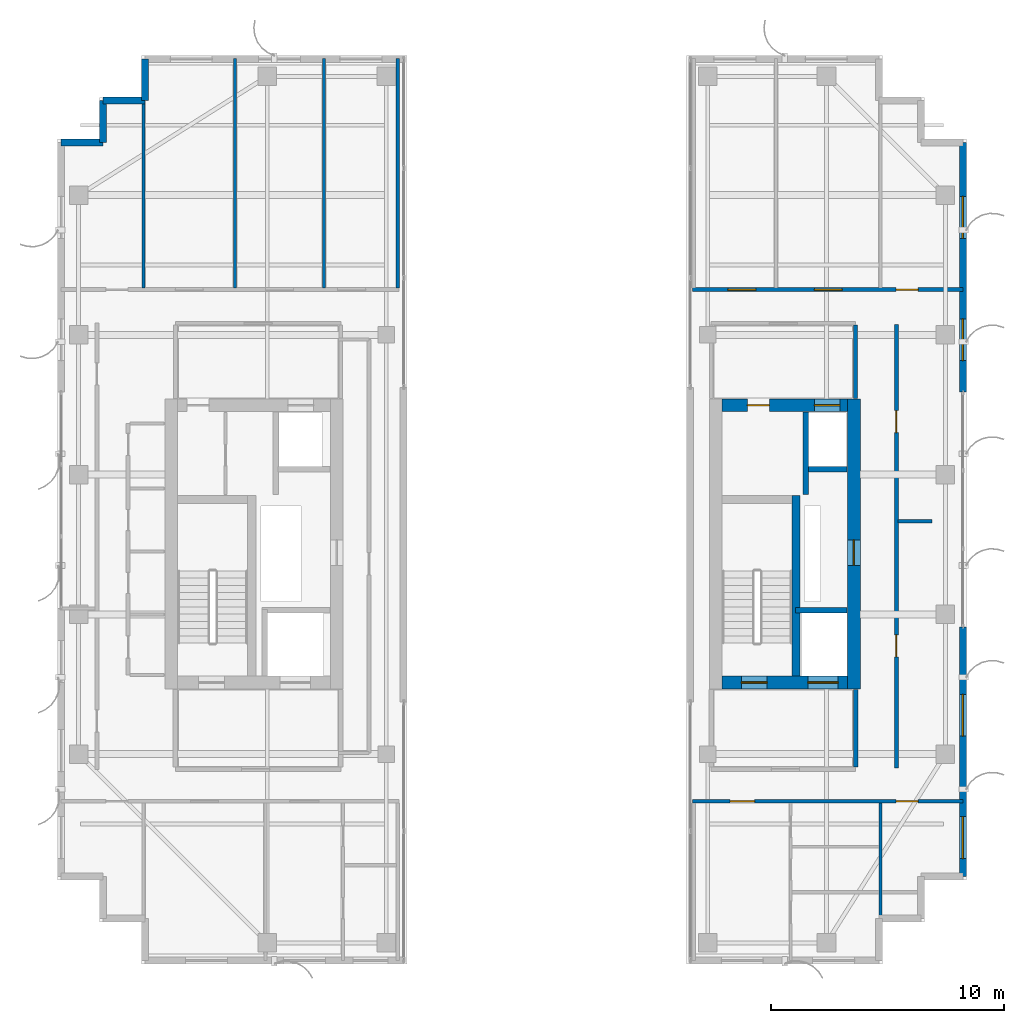
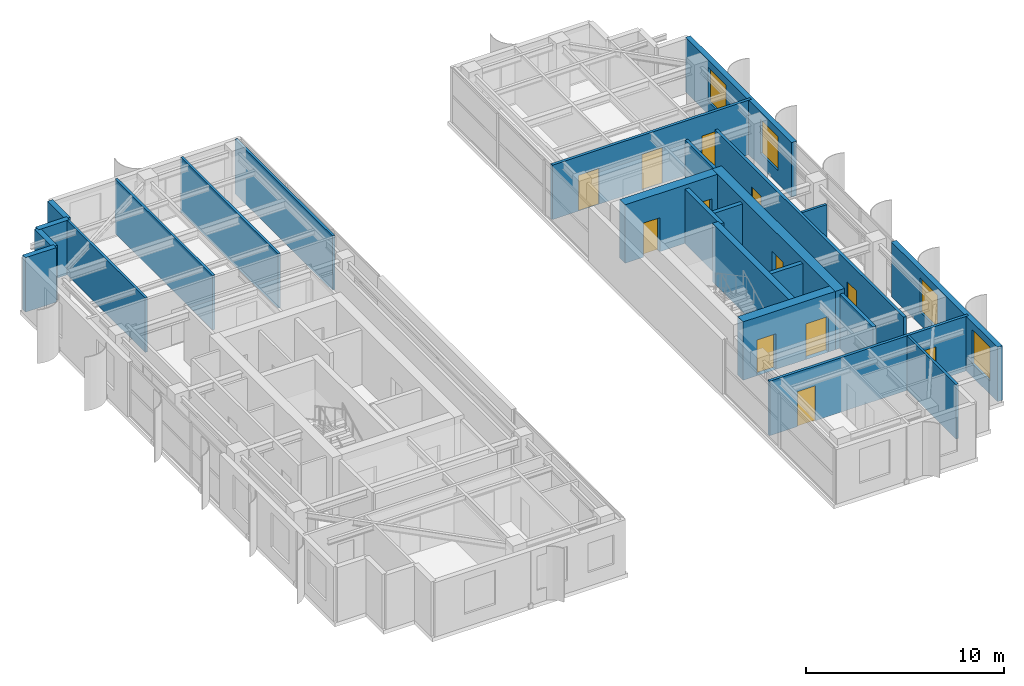
# One storey, part 20 of 24: 24 walls, 12 doors, 4 windows, 16 openings.
"""IFC4 building model written with IfcOpenShell, lengths in metres."""

from ifc_helpers import new_model, si_unit, direction, frame, frame_2d, origin, place, context, subcontext, project, spatial, rectangle, extrude, source, transform, mapped, material, layer, layer_set, type_object, element, fill, save


model = new_model("IFC4")

# Units and contexts
model_context = context("Model", 3, precision=1e-05, world=origin(), true_north=direction((0.0, 1.0)))
body_context = subcontext(model_context, "Body", "Model", "MODEL_VIEW")
ifc_project = project(units=[si_unit("LENGTHUNIT", "METRE"), si_unit("AREAUNIT", "SQUARE_METRE"), si_unit("VOLUMEUNIT", "CUBIC_METRE"), si_unit("PLANEANGLEUNIT", "RADIAN"), si_unit("MASSUNIT", "GRAM", prefix="KILO")], contexts=[model_context])

# Site, building, storey
site_placement = place(None, origin())
site = spatial("IfcSite", under=ifc_project, at=site_placement, CompositionType="ELEMENT")
building_placement = place(site_placement, origin())
building = spatial("IfcBuilding", under=site, at=building_placement, Name="Khoralis Quay Care Tower", CompositionType="ELEMENT")
storey_placement = place(building_placement, frame((0.0, 0.0, 234.89990234375)))
storey = spatial("IfcBuildingStorey", under=building, at=storey_placement, Name="L61", CompositionType="ELEMENT", Elevation=234.89990234375)

# Wall
ifc_material_1 = material(Name="Gypsum plasterboard on acoustic metal stud")
ifc_layer_1 = layer(ifc_material_1, 0.199951171875)
ifc_layer_set_1 = layer_set([ifc_layer_1], Name="Gypsum plasterboard on acoustic metal stud")
wall_type_1 = type_object("IfcWallType", Name="WL-COMP-200", PredefinedType="PARTITIONING", material=ifc_layer_set_1)
wall_1_placement = place(storey_placement, frame((37.25, 11.445068359375, 0.0), z_axis=(0.0, 0.0, 1.0), x_axis=(0.0, 1.0, 0.0)))
element("IfcWall", 1, at=wall_1_placement, inside=storey, type_object=wall_type_1, Name="L61 East Firefighting Lobby East Wall", PredefinedType="PARTITIONING", context=body_context, shape_type="SweptSolid", body=[
    extrude(rectangle(XDim=3.3349609375, YDim=0.199951171875, at=frame_2d((1.66748046875, 0.0))), origin(), (0.0, 0.0, 1.0), 3.360107421875),
])

# Wall, opening, door
ifc_material_2 = material(Name="Concrete C65/80", Category="concrete")
ifc_layer_2 = layer(ifc_material_2, 0.550048828125)
ifc_layer_set_2 = layer_set([ifc_layer_2], Name="Concrete C65/80")
wall_type_2 = type_object("IfcWallType", Name="WL-CORE-550", PredefinedType="SHEAR", material=ifc_layer_set_2)
wall_2_placement = place(storey_placement, frame((37.175048828125, 14.800048828125, 0.0), z_axis=(0.0, 0.0, 1.0), x_axis=(0.0, 1.0, 0.0)))
wall_2 = element("IfcWall", 2, at=wall_2_placement, inside=storey, type_object=wall_type_2, Name="L61 ECORE East Shear Wall", PredefinedType="SHEAR", context=body_context, shape_type="SweptSolid", body=[
    extrude(rectangle(XDim=12.449951171875, YDim=0.550048828125, at=frame_2d((6.22509765625, 0.0))), origin(), (0.0, 0.0, 1.0), 3.60009765625),
])
opening_1_placement = place(wall_2_placement, frame((5.300048828125, 0.0, 0.0)))
opening_1 = element("IfcOpeningElement", 3, at=opening_1_placement, cuts=wall_2, Name="Opening SD1", PredefinedType="OPENING", context=body_context, shape_type="SweptSolid", body=[
    extrude(rectangle(XDim=1.10009765625, YDim=2.199951171875, at=frame_2d((0.550048828125, 1.10009765625))), frame((0.0, 0.28515625, 0.0), z_axis=(0.0, -1.0, 0.0), x_axis=(1.0, 0.0, 0.0)), (0.0, 0.0, 1.0), 0.570068359375),
])
ifc_material_3 = material(Name="Fire-rated painted steel", Category="steel")
door_type_1 = type_object("IfcDoorType", Name="DR-STAIR-1100X2200", OperationType="NOTDEFINED", PredefinedType="DOOR", material=ifc_material_3)
shared_shape_1 = source(origin(), body_context, "Body", "SweptSolid", [
    extrude(rectangle(XDim=1.10009765625, YDim=2.199951171875, at=frame_2d((0.550048828125, 1.10009765625))), frame((0.0, 0.02490234375, 0.0), z_axis=(0.0, -1.0, 0.0), x_axis=(1.0, 0.0, 0.0)), (0.0, 0.0, 1.0), 0.050048828125),
])
door_1_placement = place(opening_1_placement, frame((1.10009765625, 0.0, 0.0), z_axis=(0.0, 0.0, 1.0), x_axis=(-1.0, 0.0, 0.0)))
door_1 = element("IfcDoor", 4, at=door_1_placement, inside=storey, type_object=door_type_1, Name="L61 East MEP Riser Door", OperationType="SINGLE_SWING_RIGHT", OverallHeight=2.199951171875, OverallWidth=1.10009765625, PredefinedType="DOOR", context=body_context, shape_type="MappedRepresentation", body=[
    mapped(shared_shape_1, transform((0.0, 0.0, 0.0), scale=1.0)),
])
fill(opening_1, door_1)

# Wall, openings, doors
wall_3_placement = place(storey_placement, frame((31.52001953125, 15.074951171875, 0.0), z_axis=(0.0, 0.0, 1.0), x_axis=(1.0, 0.0, 0.0)))
wall_3 = element("IfcWall", 5, at=wall_3_placement, inside=storey, type_object=wall_type_2, Name="L61 ECORE South Shear Wall", PredefinedType="SHEAR", context=body_context, shape_type="SweptSolid", body=[
    extrude(rectangle(XDim=5.3798828125, YDim=0.550048828125, at=frame_2d((2.68994140625, 0.0))), origin(), (0.0, 0.0, 1.0), 3.60009765625),
])
opening_2_placement = place(wall_3_placement, frame((0.830078125, 0.0, 0.0)))
opening_2 = element("IfcOpeningElement", 6, at=opening_2_placement, cuts=wall_3, Name="Opening SD1", PredefinedType="OPENING", context=body_context, shape_type="SweptSolid", body=[
    extrude(rectangle(XDim=1.10009765625, YDim=2.199951171875, at=frame_2d((0.550048828125, 1.10009765625))), frame((0.0, 0.28515625, 0.0), z_axis=(0.0, -1.0, 0.0), x_axis=(1.0, 0.0, 0.0)), (0.0, 0.0, 1.0), 0.570068359375),
])
opening_3_placement = place(wall_3_placement, frame((3.679931640625, 0.0, 0.0)))
opening_3 = element("IfcOpeningElement", 7, at=opening_3_placement, cuts=wall_3, Name="Opening LD2", PredefinedType="OPENING", context=body_context, shape_type="SweptSolid", body=[
    extrude(rectangle(XDim=1.300048828125, YDim=2.199951171875, at=frame_2d((0.64990234375, 1.10009765625))), frame((0.0, 0.28515625, 0.0), z_axis=(0.0, -1.0, 0.0), x_axis=(1.0, 0.0, 0.0)), (0.0, 0.0, 1.0), 0.570068359375),
])
door_2_placement = place(opening_2_placement, origin())
door_2 = element("IfcDoor", 8, at=door_2_placement, inside=storey, type_object=door_type_1, Name="L61 Stair ST-T2 Fire Door", OperationType="SINGLE_SWING_RIGHT", OverallHeight=2.199951171875, OverallWidth=1.10009765625, PredefinedType="DOOR", context=body_context, shape_type="MappedRepresentation", body=[
    mapped(shared_shape_1, transform((0.0, 0.0, 0.0), scale=1.0)),
])
fill(opening_2, door_2)
ifc_material_4 = material(Name="Brushed stainless steel", Category="steel")
door_type_2 = type_object("IfcDoorType", Name="DR-LIFT-1300X2200", OperationType="SLIDING_TO_RIGHT", PredefinedType="DOOR", material=ifc_material_4)
shared_shape_2 = source(origin(), body_context, "Body", "SweptSolid", [
    extrude(rectangle(XDim=1.300048828125, YDim=2.199951171875, at=frame_2d((0.64990234375, 1.10009765625))), frame((0.0, 0.02490234375, 0.0), z_axis=(0.0, -1.0, 0.0), x_axis=(1.0, 0.0, 0.0)), (0.0, 0.0, 1.0), 0.050048828125),
])
door_3_placement = place(opening_3_placement, origin())
door_3 = element("IfcDoor", 9, at=door_3_placement, inside=storey, type_object=door_type_2, Name="L61 Firefighting Lift FFL-2 Landing Door", OperationType="SLIDING_TO_RIGHT", OverallHeight=2.199951171875, OverallWidth=1.300048828125, PredefinedType="DOOR", context=body_context, shape_type="MappedRepresentation", body=[
    mapped(shared_shape_2, transform((0.0, 0.0, 0.0), scale=1.0)),
])
fill(opening_3, door_3)

wall_4_placement = place(storey_placement, frame((31.52001953125, 26.97509765625, 0.0), z_axis=(0.0, 0.0, 1.0), x_axis=(1.0, 0.0, 0.0)))
wall_4 = element("IfcWall", 10, at=wall_4_placement, inside=storey, type_object=wall_type_2, Name="L61 ECORE North Shear Wall", PredefinedType="SHEAR", context=body_context, shape_type="SweptSolid", body=[
    extrude(rectangle(XDim=5.3798828125, YDim=0.550048828125, at=frame_2d((2.68994140625, 0.0))), origin(), (0.0, 0.0, 1.0), 3.60009765625),
])
opening_4_placement = place(wall_4_placement, frame((1.080078125, 0.0, 0.0)))
opening_4 = element("IfcOpeningElement", 11, at=opening_4_placement, cuts=wall_4, Name="Opening ID1", PredefinedType="OPENING", context=body_context, shape_type="SweptSolid", body=[
    extrude(rectangle(XDim=0.949951171875, YDim=2.10009765625, at=frame_2d((0.47509765625, 1.050048828125))), frame((0.0, 0.28515625, 0.0), z_axis=(0.0, -1.0, 0.0), x_axis=(1.0, 0.0, 0.0)), (0.0, 0.0, 1.0), 0.570068359375),
])
opening_5_placement = place(wall_4_placement, frame((3.9599609375, 0.0, 0.0)))
opening_5 = element("IfcOpeningElement", 12, at=opening_5_placement, cuts=wall_4, Name="Opening LD1", PredefinedType="OPENING", context=body_context, shape_type="SweptSolid", body=[
    extrude(rectangle(XDim=1.10009765625, YDim=2.199951171875, at=frame_2d((0.550048828125, 1.10009765625))), frame((0.0, 0.28515625, 0.0), z_axis=(0.0, -1.0, 0.0), x_axis=(1.0, 0.0, 0.0)), (0.0, 0.0, 1.0), 0.570068359375),
])
door_type_3 = type_object("IfcDoorType", Name="DR-LIFT-1100X2200", OperationType="SLIDING_TO_LEFT", PredefinedType="DOOR", material=ifc_material_4)
shared_shape_3 = source(origin(), body_context, "Body", "SweptSolid", [
    extrude(rectangle(XDim=1.10009765625, YDim=2.199951171875, at=frame_2d((0.550048828125, 1.10009765625))), frame((0.0, 0.02490234375, 0.0), z_axis=(0.0, -1.0, 0.0), x_axis=(1.0, 0.0, 0.0)), (0.0, 0.0, 1.0), 0.050048828125),
])
door_4_placement = place(opening_5_placement, origin())
door_4 = element("IfcDoor", 13, at=door_4_placement, inside=storey, type_object=door_type_3, Name="L61 Lift PLH2 Landing Door", OperationType="SLIDING_TO_LEFT", OverallHeight=2.199951171875, OverallWidth=1.10009765625, PredefinedType="DOOR", context=body_context, shape_type="MappedRepresentation", body=[
    mapped(shared_shape_3, transform((0.0, 0.0, 0.0), scale=1.0)),
])
fill(opening_5, door_4)
ifc_material_5 = material(Name="Acoustic hardwood timber", Category="wood")
door_type_4 = type_object("IfcDoorType", Name="DR-ROOM-950X2100", OperationType="NOTDEFINED", PredefinedType="DOOR", material=ifc_material_5)
shared_shape_4 = source(origin(), body_context, "Body", "SweptSolid", [
    extrude(rectangle(XDim=0.949951171875, YDim=2.10009765625, at=frame_2d((0.47509765625, 1.050048828125))), frame((0.0, 0.02490234375, 0.0), z_axis=(0.0, -1.0, 0.0), x_axis=(1.0, 0.0, 0.0)), (0.0, 0.0, 1.0), 0.050048828125),
])
door_5_placement = place(opening_4_placement, frame((0.949951171875, 0.0, 0.0), z_axis=(0.0, 0.0, 1.0), x_axis=(-1.0, 0.0, 0.0)))
door_5 = element("IfcDoor", 14, at=door_5_placement, inside=storey, type_object=door_type_4, Name="L61 Rehab Gym Door", OperationType="SINGLE_SWING_RIGHT", OverallHeight=2.10009765625, OverallWidth=0.949951171875, PredefinedType="DOOR", context=body_context, shape_type="MappedRepresentation", body=[
    mapped(shared_shape_4, transform((0.0, 0.0, 0.0), scale=1.0)),
])
fill(opening_4, door_5)

# Wall
ifc_layer_3 = layer(ifc_material_1, 0.1650390625)
ifc_layer_set_3 = layer_set([ifc_layer_3], Name="Gypsum plasterboard on acoustic metal stud")
wall_type_3 = type_object("IfcWallType", Name="WL-CORR-165", PredefinedType="PARTITIONING", material=ifc_layer_set_3)
wall_5_placement = place(storey_placement, frame((37.25, 27.27001953125, 0.0), z_axis=(0.0, 0.0, 1.0), x_axis=(0.0, 1.0, 0.0)))
element("IfcWall", 15, at=wall_5_placement, inside=storey, type_object=wall_type_3, Name="L61 East Lift Lobby East Wall", PredefinedType="PARTITIONING", context=body_context, shape_type="SweptSolid", body=[
    extrude(rectangle(XDim=3.152587890625, YDim=0.1650390625, at=frame_2d((1.576171875, 0.0))), origin(), (0.0, 0.0, 1.0), 3.360107421875),
])

# Wall, openings, doors
wall_6_placement = place(storey_placement, frame((30.25, 9.97998046875, 0.0), z_axis=(0.0, 0.0, 1.0), x_axis=(1.0, 0.0, 0.0)))
wall_6 = element("IfcWall", 16, at=wall_6_placement, inside=storey, type_object=wall_type_3, Name="L61 East Wing South Corridor Wall", PredefinedType="PARTITIONING", context=body_context, shape_type="SweptSolid", body=[
    extrude(rectangle(XDim=11.60498046875, YDim=0.1650390625, at=frame_2d((5.802490234375, 0.0))), origin(), (0.0, 0.0, 1.0), 3.360107421875),
])
opening_6_placement = place(wall_6_placement, frame((1.610107421875, 0.0, 0.0)))
opening_6 = element("IfcOpeningElement", 17, at=opening_6_placement, cuts=wall_6, Name="Opening UD1", PredefinedType="OPENING", context=body_context, shape_type="SweptSolid", body=[
    extrude(rectangle(XDim=1.050048828125, YDim=2.14990234375, at=frame_2d((0.52490234375, 1.074951171875))), frame((0.0, 0.092529296875, 0.0), z_axis=(0.0, -1.0, 0.0), x_axis=(1.0, 0.0, 0.0)), (0.0, 0.0, 1.0), 0.18505859375),
])
opening_7_placement = place(wall_6_placement, frame((8.735107421875, 0.0, 0.0)))
opening_7 = element("IfcOpeningElement", 18, at=opening_7_placement, cuts=wall_6, Name="Opening ID1", PredefinedType="OPENING", context=body_context, shape_type="SweptSolid", body=[
    extrude(rectangle(XDim=0.949951171875, YDim=2.10009765625, at=frame_2d((0.47509765625, 1.050048828125))), frame((0.0, 0.092529296875, 0.0), z_axis=(0.0, -1.0, 0.0), x_axis=(1.0, 0.0, 0.0)), (0.0, 0.0, 1.0), 0.18505859375),
])
door_6_placement = place(opening_7_placement, frame((0.949951171875, 0.0, 0.0), z_axis=(0.0, 0.0, 1.0), x_axis=(-1.0, 0.0, 0.0)))
door_6 = element("IfcDoor", 19, at=door_6_placement, inside=storey, type_object=door_type_4, Name="L61 SE Corner Door", OperationType="SINGLE_SWING_RIGHT", OverallHeight=2.10009765625, OverallWidth=0.949951171875, PredefinedType="DOOR", context=body_context, shape_type="MappedRepresentation", body=[
    mapped(shared_shape_4, transform((0.0, 0.0, 0.0), scale=1.0)),
])
fill(opening_7, door_6)
door_type_5 = type_object("IfcDoorType", Name="DR-SUITE-1050X2150", OperationType="NOTDEFINED", PredefinedType="DOOR", material=ifc_material_5)
shared_shape_5 = source(origin(), body_context, "Body", "SweptSolid", [
    extrude(rectangle(XDim=1.050048828125, YDim=2.14990234375, at=frame_2d((0.52490234375, 1.074951171875))), frame((0.0, 0.02490234375, 0.0), z_axis=(0.0, -1.0, 0.0), x_axis=(1.0, 0.0, 0.0)), (0.0, 0.0, 1.0), 0.050048828125),
])
door_7_placement = place(opening_6_placement, frame((1.050048828125, 0.0, 0.0), z_axis=(0.0, 0.0, 1.0), x_axis=(-1.0, 0.0, 0.0)))
door_7 = element("IfcDoor", 20, at=door_7_placement, inside=storey, type_object=door_type_5, Name="L61 Apartment ES0 Entrance Door", OperationType="SINGLE_SWING_RIGHT", OverallHeight=2.14990234375, OverallWidth=1.050048828125, PredefinedType="DOOR", context=body_context, shape_type="MappedRepresentation", body=[
    mapped(shared_shape_5, transform((0.0, 0.0, 0.0), scale=1.0)),
])
fill(opening_6, door_7)

wall_7_placement = place(storey_placement, frame((30.25, 31.93994140625, 0.0), z_axis=(0.0, 0.0, 1.0), x_axis=(1.0, 0.0, 0.0)))
wall_7 = element("IfcWall", 21, at=wall_7_placement, inside=storey, type_object=wall_type_3, Name="L61 East Wing North Corridor Wall", PredefinedType="PARTITIONING", context=body_context, shape_type="SweptSolid", body=[
    extrude(rectangle(XDim=11.60498046875, YDim=0.1650390625, at=frame_2d((5.802490234375, 0.0))), origin(), (0.0, 0.0, 1.0), 3.360107421875),
])
opening_8_placement = place(wall_7_placement, frame((1.514892578125, 0.0, 0.0)))
opening_8 = element("IfcOpeningElement", 22, at=opening_8_placement, cuts=wall_7, Name="Opening FD1", PredefinedType="OPENING", context=body_context, shape_type="SweptSolid", body=[
    extrude(rectangle(XDim=1.199951171875, YDim=2.199951171875, at=frame_2d((0.60009765625, 1.10009765625))), frame((0.0, 0.092529296875, 0.0), z_axis=(0.0, -1.0, 0.0), x_axis=(1.0, 0.0, 0.0)), (0.0, 0.0, 1.0), 0.18505859375),
])
opening_9_placement = place(wall_7_placement, frame((5.22509765625, 0.0, 0.0)))
opening_9 = element("IfcOpeningElement", 23, at=opening_9_placement, cuts=wall_7, Name="Opening FD1", PredefinedType="OPENING", context=body_context, shape_type="SweptSolid", body=[
    extrude(rectangle(XDim=1.199951171875, YDim=2.199951171875, at=frame_2d((0.60009765625, 1.10009765625))), frame((0.0, 0.092529296875, 0.0), z_axis=(0.0, -1.0, 0.0), x_axis=(1.0, 0.0, 0.0)), (0.0, 0.0, 1.0), 0.18505859375),
])
opening_10_placement = place(wall_7_placement, frame((8.735107421875, 0.0, 0.0)))
opening_10 = element("IfcOpeningElement", 24, at=opening_10_placement, cuts=wall_7, Name="Opening ID1", PredefinedType="OPENING", context=body_context, shape_type="SweptSolid", body=[
    extrude(rectangle(XDim=0.949951171875, YDim=2.10009765625, at=frame_2d((0.47509765625, 1.050048828125))), frame((0.0, 0.092529296875, 0.0), z_axis=(0.0, -1.0, 0.0), x_axis=(1.0, 0.0, 0.0)), (0.0, 0.0, 1.0), 0.18505859375),
])
door_type_6 = type_object("IfcDoorType", Name="DR-FFL-1200X2200", OperationType="NOTDEFINED", PredefinedType="DOOR", material=ifc_material_3)
shared_shape_6 = source(origin(), body_context, "Body", "SweptSolid", [
    extrude(rectangle(XDim=1.199951171875, YDim=2.199951171875, at=frame_2d((0.60009765625, 1.10009765625))), frame((0.0, 0.02490234375, 0.0), z_axis=(0.0, -1.0, 0.0), x_axis=(1.0, 0.0, 0.0)), (0.0, 0.0, 1.0), 0.050048828125),
])
door_8_placement = place(opening_8_placement, origin())
door_8 = element("IfcDoor", 25, at=door_8_placement, inside=storey, type_object=door_type_6, Name="L61 Resident Communal Day Lounge Door", OperationType="DOUBLE_DOOR_SINGLE_SWING", OverallHeight=2.199951171875, OverallWidth=1.199951171875, PredefinedType="DOOR", context=body_context, shape_type="MappedRepresentation", body=[
    mapped(shared_shape_6, transform((0.0, 0.0, 0.0), scale=1.0)),
])
fill(opening_8, door_8)
door_9_placement = place(opening_9_placement, origin())
door_9 = element("IfcDoor", 26, at=door_9_placement, inside=storey, type_object=door_type_6, Name="L61 Resident Communal Day Lounge Door", OperationType="DOUBLE_DOOR_SINGLE_SWING", OverallHeight=2.199951171875, OverallWidth=1.199951171875, PredefinedType="DOOR", context=body_context, shape_type="MappedRepresentation", body=[
    mapped(shared_shape_6, transform((0.0, 0.0, 0.0), scale=1.0)),
])
fill(opening_9, door_9)
door_10_placement = place(opening_10_placement, origin())
door_10 = element("IfcDoor", 27, at=door_10_placement, inside=storey, type_object=door_type_4, Name="L61 NE Corner Door", OperationType="SINGLE_SWING_LEFT", OverallHeight=2.10009765625, OverallWidth=0.949951171875, PredefinedType="DOOR", context=body_context, shape_type="MappedRepresentation", body=[
    mapped(shared_shape_4, transform((0.0, 0.0, 0.0), scale=1.0)),
])
fill(opening_10, door_10)

wall_8_placement = place(storey_placement, frame((39.0, 11.39990234375, 0.0), z_axis=(0.0, 0.0, 1.0), x_axis=(0.0, 1.0, 0.0)))
wall_8 = element("IfcWall", 28, at=wall_8_placement, inside=storey, type_object=wall_type_3, Name="L61 East High-Rise Suite Wall", PredefinedType="PARTITIONING", context=body_context, shape_type="SweptSolid", body=[
    extrude(rectangle(XDim=19.050048828125, YDim=0.1650390625, at=frame_2d((9.52490234375, 0.0))), origin(), (0.0, 0.0, 1.0), 3.360107421875),
])
opening_11_placement = place(wall_8_placement, frame((4.77490234375, 0.0, 0.0)))
opening_11 = element("IfcOpeningElement", 29, at=opening_11_placement, cuts=wall_8, Name="Opening ID1", PredefinedType="OPENING", context=body_context, shape_type="SweptSolid", body=[
    extrude(rectangle(XDim=0.949951171875, YDim=2.10009765625, at=frame_2d((0.47509765625, 1.050048828125))), frame((0.0, 0.092529296875, 0.0), z_axis=(0.0, -1.0, 0.0), x_axis=(1.0, 0.0, 0.0)), (0.0, 0.0, 1.0), 0.18505859375),
])
opening_12_placement = place(wall_8_placement, frame((14.39990234375, 0.0, 0.0)))
opening_12 = element("IfcOpeningElement", 30, at=opening_12_placement, cuts=wall_8, Name="Opening ID1", PredefinedType="OPENING", context=body_context, shape_type="SweptSolid", body=[
    extrude(rectangle(XDim=0.949951171875, YDim=2.10009765625, at=frame_2d((0.47509765625, 1.050048828125))), frame((0.0, 0.092529296875, 0.0), z_axis=(0.0, -1.0, 0.0), x_axis=(1.0, 0.0, 0.0)), (0.0, 0.0, 1.0), 0.18505859375),
])
door_11_placement = place(opening_11_placement, origin())
door_11 = element("IfcDoor", 31, at=door_11_placement, inside=storey, type_object=door_type_4, Name="L61 East High-Rise Rehab Clinic Door", OperationType="SINGLE_SWING_LEFT", OverallHeight=2.10009765625, OverallWidth=0.949951171875, PredefinedType="DOOR", context=body_context, shape_type="MappedRepresentation", body=[
    mapped(shared_shape_4, transform((0.0, 0.0, 0.0), scale=1.0)),
])
fill(opening_11, door_11)
door_12_placement = place(opening_12_placement, origin())
door_12 = element("IfcDoor", 32, at=door_12_placement, inside=storey, type_object=door_type_4, Name="L61 East High-Rise Care Office Door", OperationType="SINGLE_SWING_RIGHT", OverallHeight=2.10009765625, OverallWidth=0.949951171875, PredefinedType="DOOR", context=body_context, shape_type="MappedRepresentation", body=[
    mapped(shared_shape_4, transform((0.0, 0.0, 0.0), scale=1.0)),
])
fill(opening_12, door_12)

# Walls
ifc_material_6 = material(Name="Precast concrete C45/55", Category="concrete")
ifc_layer_4 = layer(ifc_material_6, 0.300048828125)
ifc_layer_set_4 = layer_set([ifc_layer_4], Name="Precast concrete C45/55")
wall_type_4 = type_object("IfcWallType", Name="WL-EXT-REF-300", PredefinedType="SOLIDWALL", material=ifc_layer_set_4)
for number, where, z_axis, x_axis, name in (
    (33, (6.75, 41.85009765625, 0.0), (0.0, 0.0, 1.0), (0.0, -1.0, 0.0), "L61 External Facade Wall WL-EXT-L61-P1-C3"),
    (34, (6.75, 40.050048828125, 0.0), (0.0, 0.0, 1.0), (-1.0, 0.0, 0.0), "L61 External Facade Wall WL-EXT-L61-P1-C4"),
    (35, (4.949951171875, 40.050048828125, 0.0), (0.0, 0.0, 1.0), (0.0, -1.0, 0.0), "L61 External Facade Wall WL-EXT-L61-P1-C5"),
    (36, (4.949951171875, 38.25, 0.0), (0.0, 0.0, 1.0), (-1.0, 0.0, 0.0), "L61 External Facade Wall WL-EXT-L61-P1-C6"),
):
    element("IfcWall", number, at=place(storey_placement, frame(where, z_axis=z_axis, x_axis=x_axis)), inside=storey, type_object=wall_type_4, Name=name, PredefinedType="SOLIDWALL", context=body_context, shape_type="SweptSolid", body=[
        extrude(rectangle(XDim=1.800048828125, YDim=0.300048828125, at=frame_2d((0.89990234375, 0.0))), origin(), (0.0, 0.0, 1.0), 3.360107421875),
    ])

# Wall, openings, windows
wall_9_placement = place(storey_placement, frame((41.85009765625, 6.75, 0.0), z_axis=(0.0, 0.0, 1.0), x_axis=(0.0, 1.0, 0.0)))
wall_9 = element("IfcWall", 37, at=wall_9_placement, inside=storey, type_object=wall_type_4, Name="L61 External Facade Wall WL-EXT-L61-P2-E5A", PredefinedType="SOLIDWALL", context=body_context, shape_type="SweptSolid", body=[
    extrude(rectangle(XDim=10.7099609375, YDim=0.300048828125, at=frame_2d((5.35498046875, 0.0))), origin(), (0.0, 0.0, 1.0), 3.360107421875),
])
opening_13_placement = place(wall_9_placement, frame((0.764892578125, 0.0, 0.800048828125)))
opening_13 = element("IfcOpeningElement", 38, at=opening_13_placement, cuts=wall_9, Name="Opening W2", PredefinedType="OPENING", context=body_context, shape_type="SweptSolid", body=[
    extrude(rectangle(XDim=1.800048828125, YDim=2.10009765625, at=frame_2d((0.89990234375, 1.050048828125))), frame((0.0, 0.16015625, 0.0), z_axis=(0.0, -1.0, 0.0), x_axis=(1.0, 0.0, 0.0)), (0.0, 0.0, 1.0), 0.320068359375),
])
opening_14_placement = place(wall_9_placement, frame((6.02001953125, 0.0, 0.800048828125)))
opening_14 = element("IfcOpeningElement", 39, at=opening_14_placement, cuts=wall_9, Name="Opening W2", PredefinedType="OPENING", context=body_context, shape_type="SweptSolid", body=[
    extrude(rectangle(XDim=1.800048828125, YDim=2.10009765625, at=frame_2d((0.89990234375, 1.050048828125))), frame((0.0, 0.16015625, 0.0), z_axis=(0.0, -1.0, 0.0), x_axis=(1.0, 0.0, 0.0)), (0.0, 0.0, 1.0), 0.320068359375),
])
ifc_material_7 = material(Name="Low-E solar-control double glazing", Category="glass")
window_type = type_object("IfcWindowType", Name="WN-POD-1800X2100", PartitioningType="SINGLE_PANEL", PredefinedType="WINDOW", material=ifc_material_7)
shared_shape_7 = source(origin(), body_context, "Body", "SweptSolid", [
    extrude(rectangle(XDim=1.800048828125, YDim=2.10009765625, at=frame_2d((0.89990234375, 1.050048828125))), frame((0.0, 0.030029296875, 0.0), z_axis=(0.0, -1.0, 0.0), x_axis=(1.0, 0.0, 0.0)), (0.0, 0.0, 1.0), 0.06005859375),
])
window_1_placement = place(opening_13_placement, origin())
window_1 = element("IfcWindow", 40, at=window_1_placement, inside=storey, type_object=window_type, Name="WN-L61-P2-E5A Facade Window 01", OverallHeight=2.10009765625, OverallWidth=1.800048828125, PartitioningType="SINGLE_PANEL", PredefinedType="WINDOW", context=body_context, shape_type="MappedRepresentation", body=[
    mapped(shared_shape_7, transform((0.0, 0.0, 0.0), scale=1.0)),
])
fill(opening_13, window_1)
window_2_placement = place(opening_14_placement, origin())
window_2 = element("IfcWindow", 41, at=window_2_placement, inside=storey, type_object=window_type, Name="WN-L61-P2-E5A Facade Window 02", OverallHeight=2.10009765625, OverallWidth=1.800048828125, PartitioningType="SINGLE_PANEL", PredefinedType="WINDOW", context=body_context, shape_type="MappedRepresentation", body=[
    mapped(shared_shape_7, transform((0.0, 0.0, 0.0), scale=1.0)),
])
fill(opening_14, window_2)

wall_10_placement = place(storey_placement, frame((41.85009765625, 27.5400390625, 0.0), z_axis=(0.0, 0.0, 1.0), x_axis=(0.0, 1.0, 0.0)))
wall_10 = element("IfcWall", 42, at=wall_10_placement, inside=storey, type_object=wall_type_4, Name="L61 External Facade Wall WL-EXT-L61-P2-E5B", PredefinedType="SOLIDWALL", context=body_context, shape_type="SweptSolid", body=[
    extrude(rectangle(XDim=10.7099609375, YDim=0.300048828125, at=frame_2d((5.35498046875, 0.0))), origin(), (0.0, 0.0, 1.0), 3.360107421875),
])
opening_15_placement = place(wall_10_placement, frame((1.35009765625, 0.0, 0.800048828125)))
opening_15 = element("IfcOpeningElement", 43, at=opening_15_placement, cuts=wall_10, Name="Opening W2", PredefinedType="OPENING", context=body_context, shape_type="SweptSolid", body=[
    extrude(rectangle(XDim=1.800048828125, YDim=2.10009765625, at=frame_2d((0.89990234375, 1.050048828125))), frame((0.0, 0.16015625, 0.0), z_axis=(0.0, -1.0, 0.0), x_axis=(1.0, 0.0, 0.0)), (0.0, 0.0, 1.0), 0.320068359375),
])
opening_16_placement = place(wall_10_placement, frame((6.60498046875, 0.0, 0.800048828125)))
opening_16 = element("IfcOpeningElement", 44, at=opening_16_placement, cuts=wall_10, Name="Opening W2", PredefinedType="OPENING", context=body_context, shape_type="SweptSolid", body=[
    extrude(rectangle(XDim=1.800048828125, YDim=2.10009765625, at=frame_2d((0.89990234375, 1.050048828125))), frame((0.0, 0.16015625, 0.0), z_axis=(0.0, -1.0, 0.0), x_axis=(1.0, 0.0, 0.0)), (0.0, 0.0, 1.0), 0.320068359375),
])
window_3_placement = place(opening_15_placement, origin())
window_3 = element("IfcWindow", 45, at=window_3_placement, inside=storey, type_object=window_type, Name="WN-L61-P2-E5B Facade Window 01", OverallHeight=2.10009765625, OverallWidth=1.800048828125, PartitioningType="SINGLE_PANEL", PredefinedType="WINDOW", context=body_context, shape_type="MappedRepresentation", body=[
    mapped(shared_shape_7, transform((0.0, 0.0, 0.0), scale=1.0)),
])
fill(opening_15, window_3)
window_4_placement = place(opening_16_placement, origin())
window_4 = element("IfcWindow", 46, at=window_4_placement, inside=storey, type_object=window_type, Name="WN-L61-P2-E5B Facade Window 02", OverallHeight=2.10009765625, OverallWidth=1.800048828125, PartitioningType="SINGLE_PANEL", PredefinedType="WINDOW", context=body_context, shape_type="MappedRepresentation", body=[
    mapped(shared_shape_7, transform((0.0, 0.0, 0.0), scale=1.0)),
])
fill(opening_16, window_4)

# Walls
ifc_material_8 = material(Name="Concrete C40/50", Category="concrete")
ifc_layer_5 = layer(ifc_material_8, 0.35009765625)
ifc_layer_set_5 = layer_set([ifc_layer_5], Name="Concrete C40/50")
wall_type_5 = type_object("IfcWallType", Name="WL-SC-CORE-350", PredefinedType="SHEAR", material=ifc_layer_set_5)
wall_11_placement = place(storey_placement, frame((34.695068359375, 15.35009765625, 0.0), z_axis=(0.0, 0.0, 1.0), x_axis=(0.0, 1.0, 0.0)))
element("IfcWall", 47, at=wall_11_placement, inside=storey, type_object=wall_type_5, Name="L61 Stair ST-T2 Shear Baffle Wall East", PredefinedType="SHEAR", context=body_context, shape_type="SweptSolid", body=[
    extrude(rectangle(XDim=7.75, YDim=0.35009765625, at=frame_2d((3.875, 0.0))), origin(), (0.0, 0.0, 1.0), 3.60009765625),
])
ifc_layer_6 = layer(ifc_material_1, 0.239990234375)
ifc_layer_set_6 = layer_set([ifc_layer_6], Name="Gypsum plasterboard on acoustic metal stud")
wall_type_6 = type_object("IfcWallType", Name="WL-SHAFT-240", PredefinedType="PARTITIONING", material=ifc_layer_set_6)
wall_12_placement = place(storey_placement, frame((34.679931640625, 18.169921875, 0.0), z_axis=(0.0, 0.0, 1.0), x_axis=(1.0, 0.0, 0.0)))
element("IfcWall", 48, at=wall_12_placement, inside=storey, type_object=wall_type_6, Name="L61 FFL-2 Shaft Wall North", PredefinedType="PARTITIONING", context=body_context, shape_type="SweptSolid", body=[
    extrude(rectangle(XDim=2.199951171875, YDim=0.239990234375, at=frame_2d((1.10009765625, 0.0))), origin(), (0.0, 0.0, 1.0), 3.360107421875),
])
wall_13_placement = place(storey_placement, frame((35.110107421875, 23.139892578125, 0.0), z_axis=(0.0, 0.0, 1.0), x_axis=(0.0, 1.0, 0.0)))
element("IfcWall", 49, at=wall_13_placement, inside=storey, type_object=wall_type_6, Name="L61 High-Rise Reclaimed Bay Wall East", PredefinedType="PARTITIONING", context=body_context, shape_type="SweptSolid", body=[
    extrude(rectangle(XDim=3.5400390625, YDim=0.239990234375, at=frame_2d((1.77001953125, 0.0))), origin(), (0.0, 0.0, 1.0), 3.360107421875),
])
wall_14_placement = place(storey_placement, frame((35.22509765625, 24.22998046875, 0.0), z_axis=(0.0, 0.0, 1.0), x_axis=(1.0, 0.0, 0.0)))
element("IfcWall", 50, at=wall_14_placement, inside=storey, type_object=wall_type_6, Name="L61 High-Rise Shaft South Wall East", PredefinedType="PARTITIONING", context=body_context, shape_type="SweptSolid", body=[
    extrude(rectangle(XDim=1.65478515625, YDim=0.239990234375, at=frame_2d((0.827392578125, 0.0))), origin(), (0.0, 0.0, 1.0), 3.360107421875),
])
ifc_layer_7 = layer(ifc_material_1, 0.139892578125)
ifc_layer_set_7 = layer_set([ifc_layer_7], Name="Gypsum plasterboard on acoustic metal stud")
wall_type_7 = type_object("IfcWallType", Name="WL-UNIT-140", PredefinedType="PARTITIONING", material=ifc_layer_set_7)
wall_15_placement = place(storey_placement, frame((39.077392578125, 22.0, 0.0), z_axis=(0.0, 0.0, 1.0), x_axis=(1.0, 0.0, 0.0)))
element("IfcWall", 51, at=wall_15_placement, inside=storey, type_object=wall_type_7, Name="L61 East High-Rise Split", PredefinedType="PARTITIONING", context=body_context, shape_type="SweptSolid", body=[
    extrude(rectangle(XDim=1.442626953125, YDim=0.139892578125, at=frame_2d((0.72119140625, 0.0))), origin(), (0.0, 0.0, 1.0), 3.360107421875),
])
wall_16_placement = place(storey_placement, frame((6.679931640625, 32.017578125, 0.0), z_axis=(0.0, 0.0, 1.0), x_axis=(0.0, 1.0, 0.0)))
element("IfcWall", 52, at=wall_16_placement, inside=storey, type_object=wall_type_7, Name="L61 WN Demising Wall 0", PredefinedType="PARTITIONING", context=body_context, shape_type="SweptSolid", body=[
    extrude(rectangle(XDim=8.037353515625, YDim=0.139892578125, at=frame_2d((4.0185546875, 0.0))), origin(), (0.0, 0.0, 1.0), 3.360107421875),
])
for number, where, z_axis, x_axis, name in (
    (53, (10.610107421875, 32.017578125, 0.0), (0.0, 0.0, 1.0), (0.0, 1.0, 0.0), "L61 WN Demising Wall 1"),
    (54, (14.429931640625, 32.017578125, 0.0), (0.0, 0.0, 1.0), (0.0, 1.0, 0.0), "L61 WN Demising Wall 2"),
    (55, (17.60009765625, 32.017578125, 0.0), (0.0, 0.0, 1.0), (0.0, 1.0, 0.0), "L61 WN Demising Wall 3"),
):
    element("IfcWall", number, at=place(storey_placement, frame(where, z_axis=z_axis, x_axis=x_axis)), inside=storey, type_object=wall_type_7, Name=name, PredefinedType="PARTITIONING", context=body_context, shape_type="SweptSolid", body=[
        extrude(rectangle(XDim=9.83740234375, YDim=0.139892578125, at=frame_2d((4.918701171875, 0.0))), origin(), (0.0, 0.0, 1.0), 3.360107421875),
    ])
wall_17_placement = place(storey_placement, frame((38.320068359375, 4.945068359375, 0.0), z_axis=(0.0, 0.0, 1.0), x_axis=(0.0, 1.0, 0.0)))
element("IfcWall", 56, at=wall_17_placement, inside=storey, type_object=wall_type_7, Name="L61 ES Demising Wall 1", PredefinedType="PARTITIONING", context=body_context, shape_type="SweptSolid", body=[
    extrude(rectangle(XDim=4.95751953125, YDim=0.139892578125, at=frame_2d((2.478759765625, 0.0))), origin(), (0.0, 0.0, 1.0), 3.360107421875),
])

save(model, "model.ifc")
